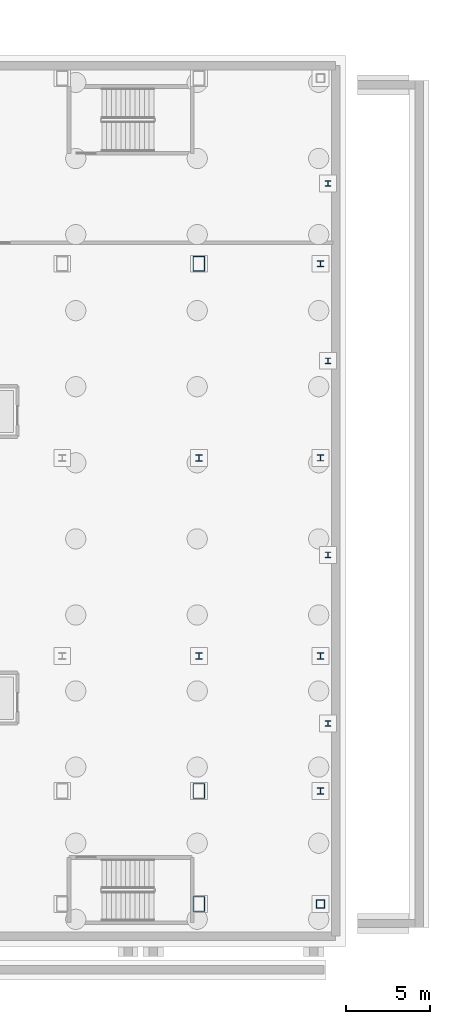
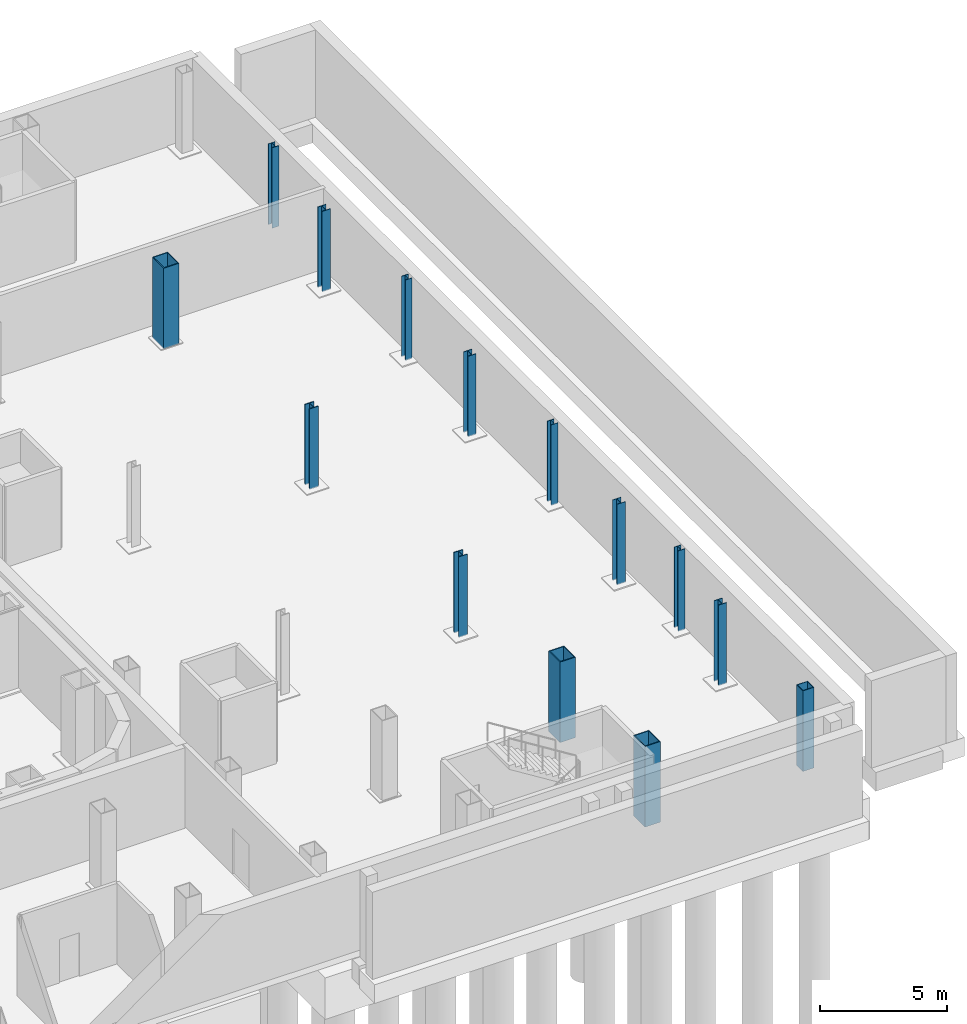
# One storey, part 4 of 16: 14 columns.
"""IFC4 building model written with IfcOpenShell, lengths in metres."""

from ifc_helpers import new_model, si_unit, direction, frame, origin, origin_2d, place, context, subcontext, project, spatial, hollow_rectangle, i_section, extrude, source, transform, mapped, material, material_profile, profile_set, type_object, element, save


model = new_model("IFC4")

# Units and contexts
model_context = context("Model", 3, precision=1e-05, world=origin(), true_north=direction((0.0, 1.0)))
body_context = subcontext(model_context, "Body", "Model", "MODEL_VIEW")
ifc_project = project(units=[si_unit("LENGTHUNIT", "METRE"), si_unit("AREAUNIT", "SQUARE_METRE"), si_unit("VOLUMEUNIT", "CUBIC_METRE"), si_unit("PLANEANGLEUNIT", "RADIAN"), si_unit("MASSUNIT", "GRAM", prefix="KILO")], contexts=[model_context])

# Site, building, storey
site_placement = place(None, origin())
site = spatial("IfcSite", under=ifc_project, at=site_placement, CompositionType="ELEMENT")
building_placement = place(site_placement, origin())
building = spatial("IfcBuilding", under=site, at=building_placement, Name="Kolveth Station Tower", CompositionType="ELEMENT")
storey_placement = place(building_placement, frame((0.0, 0.0, -8.39990234375)))
storey = spatial("IfcBuildingStorey", under=building, at=storey_placement, Name="B2", CompositionType="ELEMENT", Elevation=-8.39990234375)

# Columns
ifc_material = material(Name="Steel S355", Category="steel")
ifc_material_profile_1 = material_profile(ifc_material, hollow_rectangle(XDim=0.699951171875, YDim=0.89990234375, WallThickness=0.0400390625, at=origin_2d()), Name="BOX900x700x40")
ifc_profile_set_1 = profile_set([ifc_material_profile_1], Name="Steel S355")
column_type_1 = type_object("IfcColumnType", Name="Col_SC1", PredefinedType="COLUMN", material=ifc_profile_set_1)
shared_shape_1 = source(origin(), body_context, "Body", "SweptSolid", [
    extrude(hollow_rectangle(XDim=0.699951171875, YDim=0.89990234375, WallThickness=0.0400390625, at=origin_2d()), origin(), (0.0, 0.0, 1.0), 3.8798828125),
])
for number, where, z_axis, x_axis, name in (
    (1, (63.5, -9.199951171875, 0.0), (0.0, 0.0, 1.0), (1.0, 0.0, 0.0), "B2 Station Column SE-3-1"),
    (2, (63.5, -2.5, 0.0), (0.0, 0.0, 1.0), (1.0, 0.0, 0.0), "B2 Station Column SE-3-2"),
    (3, (63.5, 28.75, 0.0), (0.0, 0.0, 1.0), (1.0, 0.0, 0.0), "B2 Station Column SE-3-5"),
):
    element("IfcColumn", number, at=place(storey_placement, frame(where, z_axis=z_axis, x_axis=x_axis)), inside=storey, type_object=column_type_1, Name=name, PredefinedType="COLUMN", context=body_context, shape_type="MappedRepresentation", body=[
        mapped(shared_shape_1, transform((0.0, 0.0, 0.0), x_axis=(1.0, 0.0, 0.0), y_axis=(0.0, 1.0, 0.0), z_axis=(0.0, 0.0, 1.0), scale=1.0)),
    ])
ifc_material_profile_2 = material_profile(ifc_material, i_section(OverallWidth=0.39892578125, OverallDepth=0.39306640625, WebThickness=0.022705078125, FlangeThickness=0.03662109375, at=origin_2d()), Name="W360x287")
ifc_profile_set_2 = profile_set([ifc_material_profile_2], Name="Steel S355")
column_type_2 = type_object("IfcColumnType", Name="Col_CW1", PredefinedType="COLUMN", material=ifc_profile_set_2)
shared_shape_2 = source(origin(), body_context, "Body", "SweptSolid", [
    extrude(i_section(OverallWidth=0.39892578125, OverallDepth=0.39306640625, WebThickness=0.022705078125, FlangeThickness=0.03662109375, at=origin_2d()), origin(), (0.0, 0.0, 1.0), 3.8798828125),
])
for number, where, z_axis, x_axis, name in (
    (4, (63.5, 5.5, 0.0), (0.0, 0.0, 1.0), (1.0, 0.0, 0.0), "B2 Station Column SE-3-3"),
    (5, (63.5, 17.25, 0.0), (0.0, 0.0, 1.0), (1.0, 0.0, 0.0), "B2 Station Column SE-3-4"),
):
    element("IfcColumn", number, at=place(storey_placement, frame(where, z_axis=z_axis, x_axis=x_axis)), inside=storey, type_object=column_type_2, Name=name, PredefinedType="COLUMN", context=body_context, shape_type="MappedRepresentation", body=[
        mapped(shared_shape_2, transform((0.0, 0.0, 0.0), x_axis=(1.0, 0.0, 0.0), y_axis=(0.0, 1.0, 0.0), z_axis=(0.0, 0.0, 1.0), scale=1.0)),
    ])
ifc_material_profile_3 = material_profile(ifc_material, hollow_rectangle(XDim=0.5, YDim=0.5, WallThickness=0.02490234375, at=origin_2d()), Name="HSS500x500x25")
ifc_profile_set_3 = profile_set([ifc_material_profile_3], Name="Steel S355")
column_type_3 = type_object("IfcColumnType", Name="Col_SC2", PredefinedType="COLUMN", material=ifc_profile_set_3)
shared_shape_3 = source(origin(), body_context, "Body", "SweptSolid", [
    extrude(hollow_rectangle(XDim=0.5, YDim=0.5, WallThickness=0.02490234375, at=origin_2d()), origin(), (0.0, 0.0, 1.0), 3.8798828125),
])
column_placement = place(storey_placement, frame((70.699951171875, -9.199951171875, 0.0), z_axis=(0.0, 0.0, 1.0), x_axis=(1.0, 0.0, 0.0)))
element("IfcColumn", 6, at=column_placement, inside=storey, type_object=column_type_3, Name="B2 Station Column SE-4-1", PredefinedType="COLUMN", context=body_context, shape_type="MappedRepresentation", body=[
    mapped(shared_shape_3, transform((0.0, 0.0, 0.0), x_axis=(1.0, 0.0, 0.0), y_axis=(0.0, 1.0, 0.0), z_axis=(0.0, 0.0, 1.0), scale=1.0)),
])
ifc_material_profile_4 = material_profile(ifc_material, i_section(OverallWidth=0.3740234375, OverallDepth=0.3720703125, WebThickness=0.016357421875, FlangeThickness=0.026123046875, at=origin_2d()), Name="W360x196")
ifc_profile_set_4 = profile_set([ifc_material_profile_4], Name="Steel S355")
column_type_4 = type_object("IfcColumnType", Name="Col_CW2", PredefinedType="COLUMN", material=ifc_profile_set_4)
shared_shape_4 = source(origin(), body_context, "Body", "SweptSolid", [
    extrude(i_section(OverallWidth=0.3740234375, OverallDepth=0.3720703125, WebThickness=0.016357421875, FlangeThickness=0.026123046875, at=origin_2d()), origin(), (0.0, 0.0, 1.0), 3.8798828125),
])
for number, where, z_axis, x_axis, name in (
    (7, (70.699951171875, -2.5, 0.0), (0.0, 0.0, 1.0), (1.0, 0.0, 0.0), "B2 Station Column SE-4-2"),
    (8, (70.699951171875, 5.5, 0.0), (0.0, 0.0, 1.0), (1.0, 0.0, 0.0), "B2 Station Column SE-4-3"),
    (9, (70.699951171875, 17.25, 0.0), (0.0, 0.0, 1.0), (1.0, 0.0, 0.0), "B2 Station Column SE-4-4"),
    (10, (70.699951171875, 28.75, 0.0), (0.0, 0.0, 1.0), (1.0, 0.0, 0.0), "B2 Station Column SE-4-5"),
):
    element("IfcColumn", number, at=place(storey_placement, frame(where, z_axis=z_axis, x_axis=x_axis)), inside=storey, type_object=column_type_4, Name=name, PredefinedType="COLUMN", context=body_context, shape_type="MappedRepresentation", body=[
        mapped(shared_shape_4, transform((0.0, 0.0, 0.0), x_axis=(1.0, 0.0, 0.0), y_axis=(0.0, 1.0, 0.0), z_axis=(0.0, 0.0, 1.0), scale=1.0)),
    ])
ifc_material_profile_5 = material_profile(ifc_material, i_section(OverallWidth=0.30908203125, OverallDepth=0.322998046875, WebThickness=0.013916015625, FlangeThickness=0.02294921875, at=origin_2d()), Name="W310x143")
ifc_profile_set_5 = profile_set([ifc_material_profile_5], Name="Steel S355")
column_type_5 = type_object("IfcColumnType", Name="Col_PL1", PredefinedType="PILASTER", material=ifc_profile_set_5)
shared_shape_5 = source(origin(), body_context, "Body", "SweptSolid", [
    extrude(i_section(OverallWidth=0.30908203125, OverallDepth=0.322998046875, WebThickness=0.013916015625, FlangeThickness=0.02294921875, at=origin_2d()), origin(), (0.0, 0.0, 1.0), 3.8798828125),
])
for number, where, z_axis, x_axis, name in (
    (11, (71.14990234375, 1.5, 0.0), (0.0, 0.0, 1.0), (1.0, 0.0, 0.0), "B2 Station Column SPL-1"),
    (12, (71.14990234375, 11.5, 0.0), (0.0, 0.0, 1.0), (1.0, 0.0, 0.0), "B2 Station Column SPL-2"),
    (13, (71.14990234375, 23.0, 0.0), (0.0, 0.0, 1.0), (1.0, 0.0, 0.0), "B2 Station Column SPL-3"),
    (14, (71.14990234375, 33.5, 0.0), (0.0, 0.0, 1.0), (1.0, 0.0, 0.0), "B2 Station Column SPL-4"),
):
    element("IfcColumn", number, at=place(storey_placement, frame(where, z_axis=z_axis, x_axis=x_axis)), inside=storey, type_object=column_type_5, Name=name, PredefinedType="PILASTER", context=body_context, shape_type="MappedRepresentation", body=[
        mapped(shared_shape_5, transform((0.0, 0.0, 0.0), x_axis=(1.0, 0.0, 0.0), y_axis=(0.0, 1.0, 0.0), z_axis=(0.0, 0.0, 1.0), scale=1.0)),
    ])

save(model, "model.ifc")
